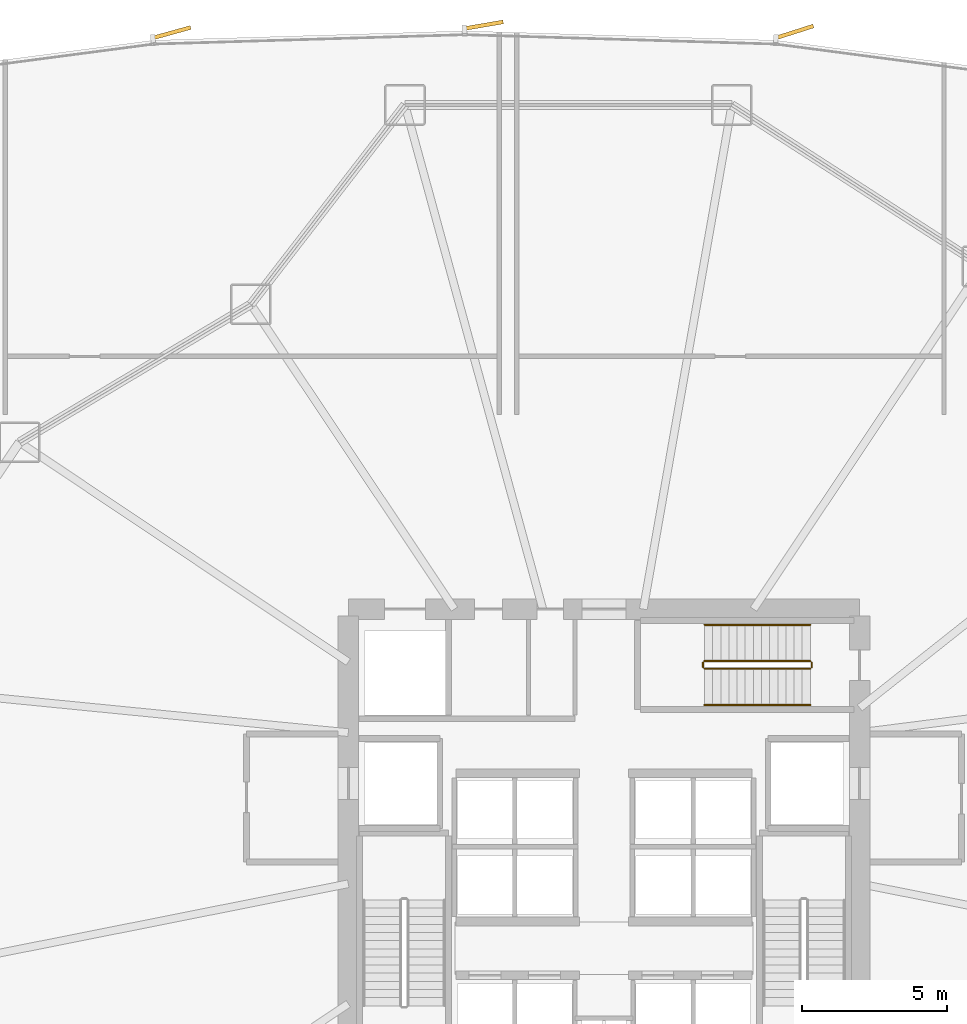
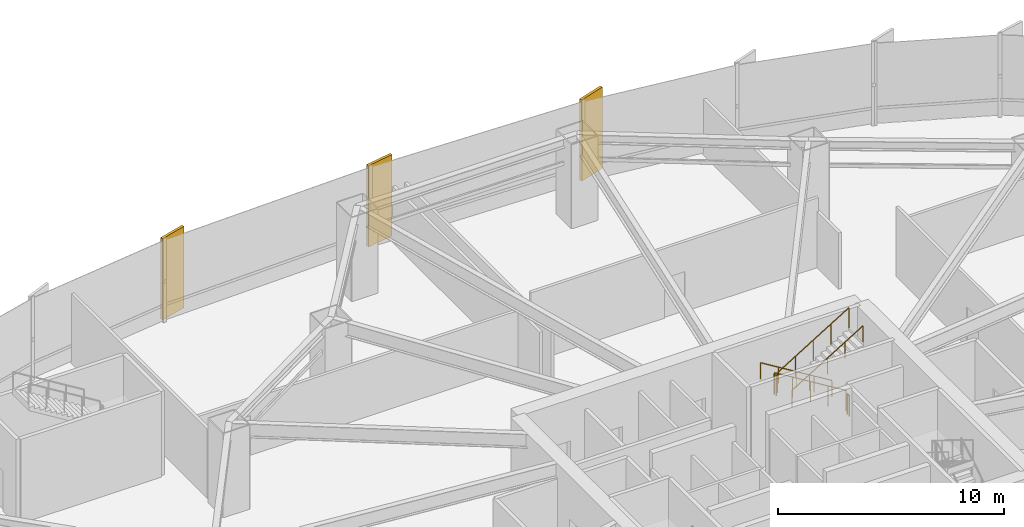
# One storey, part 33 of 34: 6 railings, 3 coverings.
"""IFC4 building model written with IfcOpenShell, lengths in metres."""

from ifc_helpers import new_model, si_unit, direction, frame, origin, origin_2d, place, context, subcontext, project, spatial, rectangle, circle, extrude, source, transform, mapped, material, layer, layer_set, type_object, element, save


model = new_model("IFC4")

# Units and contexts
model_context = context("Model", 3, precision=1e-05, world=origin(), true_north=direction((0.0, 1.0)))
body_context = subcontext(model_context, "Body", "Model", "MODEL_VIEW")
ifc_project = project(units=[si_unit("LENGTHUNIT", "METRE"), si_unit("AREAUNIT", "SQUARE_METRE"), si_unit("VOLUMEUNIT", "CUBIC_METRE"), si_unit("PLANEANGLEUNIT", "RADIAN"), si_unit("MASSUNIT", "GRAM", prefix="KILO"), si_unit("THERMODYNAMICTEMPERATUREUNIT", "KELVIN")], contexts=[model_context])

# Site, building, storey
site_placement = place(None, origin())
site = spatial("IfcSite", under=ifc_project, at=site_placement, CompositionType="ELEMENT")
building_placement = place(site_placement, origin())
building = spatial("IfcBuilding", under=site, at=building_placement, Name="Kethvar Cultural Tower", CompositionType="ELEMENT")
storey_placement = place(building_placement, frame((0.0, 0.0, 5.199951171875)))
storey = spatial("IfcBuildingStorey", under=building, at=storey_placement, Name="L01", CompositionType="ELEMENT", Elevation=5.199951171875)

# Railings
ifc_material_1 = material(Name="Steel S355J2", Category="steel")
railing_type_1 = type_object("IfcRailingType", Name="RL-STAIR-GUARD", PredefinedType="BALUSTRADE", material=ifc_material_1)
railing_1_placement = place(storey_placement, frame((53.89990234375, 33.7099609375, 0.17138671875)))
element("IfcRailing", 1, at=railing_1_placement, inside=storey, type_object=railing_type_1, Name="L01 ST-03 stair guard 1", PredefinedType="BALUSTRADE", context=body_context, shape_type="SweptSolid", body=[
    extrude(circle(Radius=0.02392578125, at=origin_2d()), frame((0.0, 0.0, 1.09619140625), z_axis=(-0.852824790078, 0.0, 0.522197163366), x_axis=(0.0, -1.0, 0.0)), (0.0, 0.0, 1.0), 4.26806640625),
    extrude(circle(Radius=0.02099609375, at=origin_2d()), origin(), (0.0, 0.0, 1.0), 1.072021484375),
    extrude(circle(Radius=0.02099609375, at=origin_2d()), frame((-0.909912109375, 0.0, 0.55712890625)), (0.0, 0.0, 1.0), 1.072021484375),
    extrude(circle(Radius=0.02099609375, at=origin_2d()), frame((-1.81982421875, 0.0, 1.1142578125)), (0.0, 0.0, 1.0), 1.072021484375),
    extrude(circle(Radius=0.02099609375, at=origin_2d()), frame((-2.72998046875, 0.0, 1.671630859375)), (0.0, 0.0, 1.0), 1.072021484375),
    extrude(circle(Radius=0.02099609375, at=origin_2d()), frame((-3.639892578125, 0.0, 2.228759765625)), (0.0, 0.0, 1.0), 1.072021484375),
])
railing_2_placement = place(storey_placement, frame((50.2099609375, 33.659912109375, 2.400146484375)))
element("IfcRailing", 2, at=railing_2_placement, inside=storey, type_object=railing_type_1, Name="L01 ST-03 stair guard 2", PredefinedType="BALUSTRADE", context=body_context, shape_type="SweptSolid", body=[
    extrude(circle(Radius=0.02392578125, at=origin_2d()), frame((0.0, 0.0, 1.09619140625), z_axis=(0.0, -1.0, 0.0), x_axis=(1.0, 0.0, 0.0)), (0.0, 0.0, 1.0), 0.159912109375),
    extrude(circle(Radius=0.02099609375, at=origin_2d()), origin(), (0.0, 0.0, 1.0), 1.072021484375),
    extrude(circle(Radius=0.02099609375, at=origin_2d()), frame((0.0, -0.159912109375, 0.0)), (0.0, 0.0, 1.0), 1.072021484375),
])
railing_3_placement = place(storey_placement, frame((50.260009765625, 33.449951171875, 2.571533203125)))
element("IfcRailing", 3, at=railing_3_placement, inside=storey, type_object=railing_type_1, Name="L01 ST-03 stair guard 3", PredefinedType="BALUSTRADE", context=body_context, shape_type="SweptSolid", body=[
    extrude(circle(Radius=0.02392578125, at=origin_2d()), frame((0.0, 0.0, 1.09619140625), z_axis=(0.852850264322, 0.0, 0.5221555579), x_axis=(0.0, 1.0, 0.0)), (0.0, 0.0, 1.0), 4.267822265625),
    extrude(circle(Radius=0.02099609375, at=origin_2d()), origin(), (0.0, 0.0, 1.0), 1.072021484375),
    extrude(circle(Radius=0.02099609375, at=origin_2d()), frame((0.909912109375, 0.0, 0.55712890625)), (0.0, 0.0, 1.0), 1.072021484375),
    extrude(circle(Radius=0.02099609375, at=origin_2d()), frame((1.81982421875, 0.0, 1.1142578125)), (0.0, 0.0, 1.0), 1.072021484375),
    extrude(circle(Radius=0.02099609375, at=origin_2d()), frame((2.72998046875, 0.0, 1.67138671875)), (0.0, 0.0, 1.0), 1.072021484375),
    extrude(circle(Radius=0.02099609375, at=origin_2d()), frame((3.639892578125, 0.0, 2.228515625)), (0.0, 0.0, 1.0), 1.072021484375),
])
railing_4_placement = place(storey_placement, frame((53.949951171875, 33.659912109375, 0.0)))
element("IfcRailing", 4, at=railing_4_placement, inside=storey, type_object=railing_type_1, Name="L01 ST-03 stair guard 4", PredefinedType="BALUSTRADE", context=body_context, shape_type="SweptSolid", body=[
    extrude(circle(Radius=0.02392578125, at=origin_2d()), frame((0.0, 0.0, 1.09619140625), z_axis=(0.0, -1.0, 0.0), x_axis=(1.0, 0.0, 0.0)), (0.0, 0.0, 1.0), 0.159912109375),
    extrude(circle(Radius=0.02099609375, at=origin_2d()), origin(), (0.0, 0.0, 1.0), 1.072021484375),
    extrude(circle(Radius=0.02099609375, at=origin_2d()), frame((0.0, -0.159912109375, 0.0)), (0.0, 0.0, 1.0), 1.072021484375),
])
railing_type_2 = type_object("IfcRailingType", Name="RL-STAIR-HANDRAIL", PredefinedType="HANDRAIL", material=ifc_material_1)
railing_5_placement = place(storey_placement, frame((53.89990234375, 34.9599609375, 0.17138671875)))
element("IfcRailing", 5, at=railing_5_placement, inside=storey, type_object=railing_type_2, Name="L01 ST-03 stair handrail 1", PredefinedType="HANDRAIL", context=body_context, shape_type="SweptSolid", body=[
    extrude(circle(Radius=0.02392578125, at=origin_2d()), frame((0.0, 0.0, 0.8759765625), z_axis=(-0.852824790078, 0.0, 0.522197163366), x_axis=(0.0, -1.0, 0.0)), (0.0, 0.0, 1.0), 4.26806640625),
    extrude(circle(Radius=0.02099609375, at=origin_2d()), origin(), (0.0, 0.0, 1.0), 0.851806640625),
    extrude(circle(Radius=0.02099609375, at=origin_2d()), frame((-0.909912109375, 0.0, 0.55712890625)), (0.0, 0.0, 1.0), 0.851806640625),
    extrude(circle(Radius=0.02099609375, at=origin_2d()), frame((-1.81982421875, 0.0, 1.1142578125)), (0.0, 0.0, 1.0), 0.851806640625),
    extrude(circle(Radius=0.02099609375, at=origin_2d()), frame((-2.72998046875, 0.0, 1.671630859375)), (0.0, 0.0, 1.0), 0.851806640625),
    extrude(circle(Radius=0.02099609375, at=origin_2d()), frame((-3.639892578125, 0.0, 2.228759765625)), (0.0, 0.0, 1.0), 0.851806640625),
])
railing_6_placement = place(storey_placement, frame((50.260009765625, 32.199951171875, 2.571533203125)))
element("IfcRailing", 6, at=railing_6_placement, inside=storey, type_object=railing_type_2, Name="L01 ST-03 stair handrail 2", PredefinedType="HANDRAIL", context=body_context, shape_type="SweptSolid", body=[
    extrude(circle(Radius=0.02392578125, at=origin_2d()), frame((0.0, 0.0, 0.8759765625), z_axis=(0.852850264322, 0.0, 0.5221555579), x_axis=(0.0, 1.0, 0.0)), (0.0, 0.0, 1.0), 4.267822265625),
    extrude(circle(Radius=0.02099609375, at=origin_2d()), origin(), (0.0, 0.0, 1.0), 0.851806640625),
    extrude(circle(Radius=0.02099609375, at=origin_2d()), frame((0.909912109375, 0.0, 0.55712890625)), (0.0, 0.0, 1.0), 0.851806640625),
    extrude(circle(Radius=0.02099609375, at=origin_2d()), frame((1.81982421875, 0.0, 1.1142578125)), (0.0, 0.0, 1.0), 0.851806640625),
    extrude(circle(Radius=0.02099609375, at=origin_2d()), frame((2.72998046875, 0.0, 1.67138671875)), (0.0, 0.0, 1.0), 0.851806640625),
    extrude(circle(Radius=0.02099609375, at=origin_2d()), frame((3.639892578125, 0.0, 2.228515625)), (0.0, 0.0, 1.0), 0.851806640625),
])

# Coverings
ifc_material_2 = material(Name="Extruded Architectural Terracotta", Category="masonry")
ifc_layer = layer(ifc_material_2, 0.135009765625, Name="Extruded Architectural Terracotta", Category="masonry")
ifc_layer_set = layer_set([ifc_layer], Name="Extruded Architectural Terracotta (135 mm)")
covering_type = type_object("IfcCoveringType", Name="Terracotta Facade Fin FIN-04", PredefinedType="CLADDING", material=ifc_layer_set)
shared_shape = source(origin(), body_context, "Body", "SweptSolid", [
    extrude(rectangle(XDim=1.35009765625, YDim=0.135009765625, at=origin_2d()), origin(), (0.0, 0.0, 1.0), 4.39990234375),
])
for number, where, z_axis, x_axis, name in (
    (7, (53.361328125, 55.3623046875, 0.02001953125), (0.0, 0.0, 1.0), (0.952555295657, 0.304365583986, 0.0), "L01 Vertical Terracotta Fin 2.3"),
    (8, (42.662841796875, 55.593994140625, 0.02001953125), (0.0, 0.0, 1.0), (0.985615113142, 0.169005469575, 0.0), "L01 Vertical Terracotta Fin 2.4"),
    (9, (31.924072265625, 55.336669921875, 0.02001953125), (0.0, 0.0, 1.0), (0.963583796636, 0.267406557249, 0.0), "L01 Vertical Terracotta Fin 2.5"),
):
    element("IfcCovering", number, at=place(storey_placement, frame(where, z_axis=z_axis, x_axis=x_axis)), inside=storey, type_object=covering_type, Name=name, PredefinedType="CLADDING", context=body_context, shape_type="MappedRepresentation", body=[
        mapped(shared_shape, transform((0.0, 0.0, 0.0), scale=1.0)),
    ])

save(model, "model.ifc")
